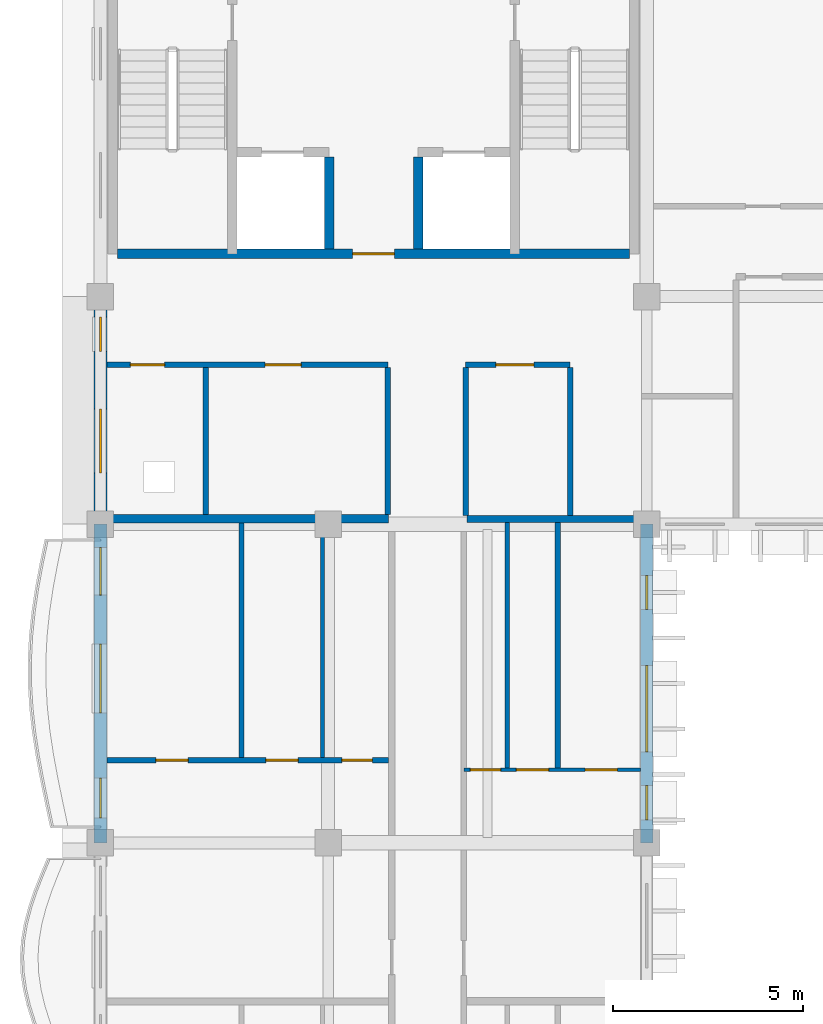
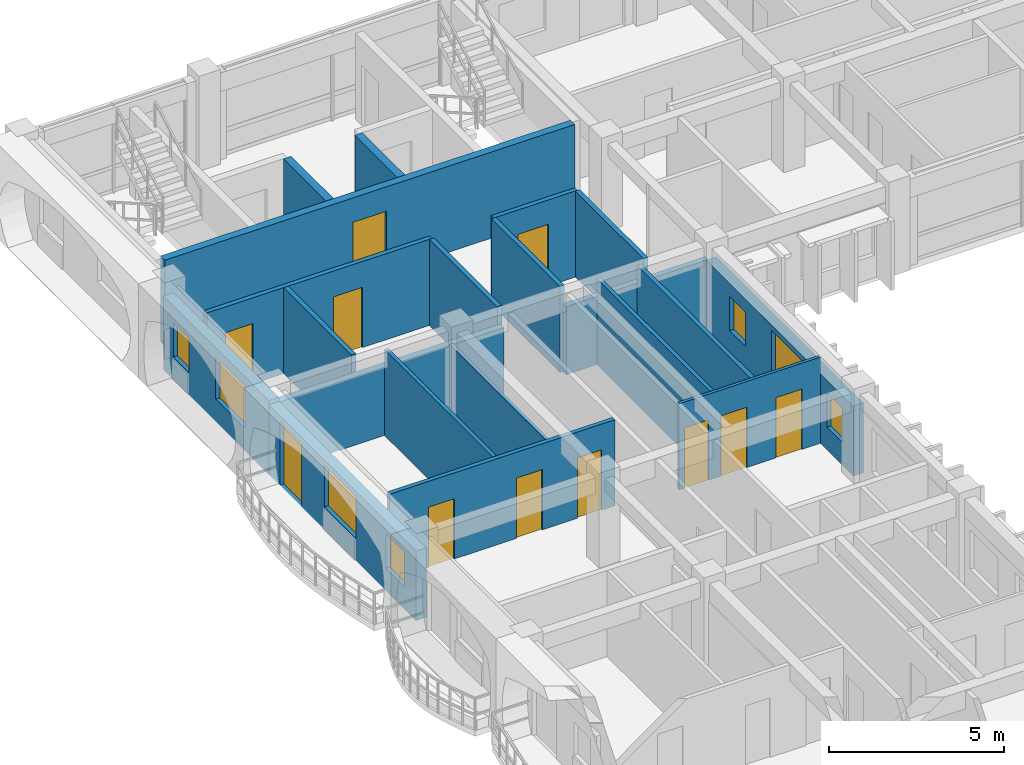
# One storey, part 31 of 76: 20 walls, 11 doors, 7 windows, 18 openings.
"""IFC4 building model written with IfcOpenShell, lengths in metres."""

import ifcopenshell
import ifcopenshell.guid

model = None  # the IFC model being written
_history = None  # IfcOwnerHistory: only IFC2X3 demands one
_inside = {}  # id of a spatial element -> (the spatial element, [elements in it])
_under = {}  # id of a project, library or spatial element -> (it, [spatial elements below it])
_declared = {}  # id of a project -> (the project, [libraries it declares])
_typed = {}  # id of a type object -> (the type object, [elements of that type])
_made_of = {}  # id of a material, layer set ... -> (it, [elements and type objects made of it])


def new_model(schema):
    """Start an empty IFC model of exactly this schema.

    Asked for "IFC4X3", IfcOpenShell would pick the latest addendum, in which some entities
    have other attributes; the version numbers below select the first issue.
    IFC2X3 requires an IfcOwnerHistory on every rooted entity: one is made here for all.
    """
    global model, _history
    if schema == "IFC4X3":
        model = ifcopenshell.file(schema_version=(4, 3, 0, 0))
    else:
        model = ifcopenshell.file(schema=schema)
    _inside.clear()
    _under.clear()
    _declared.clear()
    _typed.clear()
    _made_of.clear()
    _history = None
    if model.schema == "IFC2X3":
        org = make("IfcOrganization", Name="unknown")
        user = make(
            "IfcPersonAndOrganization",
            ThePerson=make("IfcPerson", FamilyName="unknown"),
            TheOrganization=org,
        )
        app = make(
            "IfcApplication",
            ApplicationDeveloper=org,
            Version="unknown",
            ApplicationFullName="unknown",
            ApplicationIdentifier="unknown",
        )
        _history = make(
            "IfcOwnerHistory",
            OwningUser=user,
            OwningApplication=app,
            ChangeAction="ADDED",
            CreationDate=0,
        )
    return model


def make(cls, **values):
    """One entity of the class cls with the attributes given. An attribute that is None is left unset."""
    return model.create_entity(
        cls, **{name: value for name, value in values.items() if value is not None}
    )


def rooted(cls, **values):
    """An entity with a GlobalId (a new one), such as an element, a storey or a relation."""
    return make(cls, GlobalId=ifcopenshell.guid.new(), OwnerHistory=_history, **values)


def si_unit(unit_type, name, prefix=None):
    """IfcSIUnit, for example si_unit("LENGTHUNIT", "METRE", prefix="MILLI")."""
    return make("IfcSIUnit", UnitType=unit_type, Prefix=prefix, Name=name)


def assignment(units):
    """IfcUnitAssignment: the units of a project."""
    return None if units is None else make("IfcUnitAssignment", Units=units)


def point(xyz):
    """IfcCartesianPoint."""
    return None if xyz is None else make("IfcCartesianPoint", Coordinates=xyz)


def direction(xyz):
    """IfcDirection."""
    return None if xyz is None else make("IfcDirection", DirectionRatios=xyz)


def frame(location, z_axis=None, x_axis=None):
    """IfcAxis2Placement3D, a coordinate frame: its origin and axes. An axis left out is left unset."""
    return make(
        "IfcAxis2Placement3D",
        Location=point(location),
        Axis=direction(z_axis),
        RefDirection=direction(x_axis),
    )


def frame_2d(location, x_axis=None):
    """IfcAxis2Placement2D, a coordinate frame in the plane: its origin and x axis."""
    return make(
        "IfcAxis2Placement2D", Location=point(location), RefDirection=direction(x_axis)
    )


def origin():
    """The frame at (0, 0, 0) with its axes left unset."""
    return frame((0.0, 0.0, 0.0))


def place(relative_to, where):
    """IfcLocalPlacement: puts the frame where relative to a parent placement (None: the world)."""
    return make(
        "IfcLocalPlacement", PlacementRelTo=relative_to, RelativePlacement=where
    )


def context(
    kind, dimensions, precision=None, world=None, true_north=None, identifier=None
):
    """IfcGeometricRepresentationContext, for example the 3D "Model" context."""
    return make(
        "IfcGeometricRepresentationContext",
        ContextIdentifier=identifier,
        ContextType=kind,
        CoordinateSpaceDimension=dimensions,
        Precision=precision,
        WorldCoordinateSystem=world,
        TrueNorth=true_north,
    )


def subcontext(parent, identifier, kind, view, scale=None):
    """IfcGeometricRepresentationSubContext, for example "Body" below "Model"."""
    return make(
        "IfcGeometricRepresentationSubContext",
        ContextIdentifier=identifier,
        ContextType=kind,
        ParentContext=parent,
        TargetScale=scale,
        TargetView=view,
    )


def project(units=None, contexts=None):
    """IfcProject with its units and contexts."""
    return rooted(
        "IfcProject",
        Name="project",
        RepresentationContexts=contexts,
        UnitsInContext=assignment(units),
    )


def spatial(cls, under=None, at=None, **own):
    """A site, building, storey or space (cls), placed at a placement, below another one or the project."""
    s = rooted(cls, ObjectPlacement=at, **own)
    if under is not None:
        _under.setdefault(under.id(), (under, []))[1].append(s)
    return s


def profile(cls, at=None, kind="AREA", **sizes):
    """A parametric profile (cls). Its sizes go by their IFC names, for example OverallWidth=200.0."""
    return make(cls, ProfileType=kind, Position=at, **sizes)


def rectangle(**sizes):
    """IfcRectangleProfileDef."""
    return profile("IfcRectangleProfileDef", **sizes)


def extrude(swept, where, along, depth):
    """IfcExtrudedAreaSolid: the profile swept, set in the frame where, extruded along a direction by depth."""
    return make(
        "IfcExtrudedAreaSolid",
        SweptArea=swept,
        Position=where,
        ExtrudedDirection=direction(along),
        Depth=depth,
    )


def shape(context_of_items, identifier, shape_type, items):
    """IfcShapeRepresentation: the items that make up one representation, for example the "Body"."""
    return make(
        "IfcShapeRepresentation",
        ContextOfItems=context_of_items,
        RepresentationIdentifier=identifier,
        RepresentationType=shape_type,
        Items=items,
    )


def material(Name=None, Category=None):
    """IfcMaterial."""
    return make("IfcMaterial", Name=Name, Category=Category)


def layer(
    of_material, thickness, ventilated=None, Name=None, Category=None, Priority=None
):
    """IfcMaterialLayer: one layer of a wall or slab, of a material (None: an air gap)."""
    return make(
        "IfcMaterialLayer",
        Material=of_material,
        LayerThickness=thickness,
        IsVentilated=ventilated,
        Name=Name,
        Category=Category,
        Priority=Priority,
    )


def layer_set(layers, Name=None):
    """IfcMaterialLayerSet."""
    return make("IfcMaterialLayerSet", MaterialLayers=layers, LayerSetName=Name)


def made_of(thing, what):
    """Note that an element or type object is made of a material, layer set ...; save() writes the relation."""
    if what is not None:
        _made_of.setdefault(what.id(), (what, []))[1].append(thing)
    return thing


def type_object(cls, material=None, **own):
    """A type object (cls), such as IfcWallType, which elements share."""
    return made_of(rooted(cls, **own), material)


def element(
    cls,
    number,
    at=None,
    inside=None,
    cuts=None,
    type_object=None,
    material=None,
    context=None,
    identifier="Body",
    shape_type=None,
    held_by="IfcProductDefinitionShape",
    body=None,
    shapes=None,
    **own,
):
    """One element of the class cls, such as IfcWall. Its Tag is "e" and its number.

    at: its placement. inside: the storey or other place that contains it. cuts: it is an
    opening in that element (IfcRelVoidsElement). A single representation is given by context,
    identifier, shape_type and body (its items); several are given by shapes. held_by: the class
    of the entity that holds the representations. save() writes the other relations.
    """
    e = rooted(cls, Tag="e%d" % number, ObjectPlacement=at, **own)
    if body is not None:
        shapes = [shape(context, identifier, shape_type, body)]
    if shapes is not None:
        e.Representation = make(held_by, Representations=shapes)
    if inside is not None:
        _inside.setdefault(inside.id(), (inside, []))[1].append(e)
    if cuts is not None:
        rooted(
            "IfcRelVoidsElement", RelatingBuildingElement=cuts, RelatedOpeningElement=e
        )
    if type_object is not None:
        _typed.setdefault(type_object.id(), (type_object, []))[1].append(e)
    return made_of(e, material)


def fill(opening, filler):
    """IfcRelFillsElement: the door or window that sits in an opening."""
    return rooted(
        "IfcRelFillsElement",
        RelatingOpeningElement=opening,
        RelatedBuildingElement=filler,
    )


def aggregate(whole, parts):
    """IfcRelAggregates: a whole, such as a stair, and the parts it consists of."""
    return rooted("IfcRelAggregates", RelatingObject=whole, RelatedObjects=parts)


def save(model, path):
    """Write the relations noted so far, then the file.

    IfcRelAggregates (storeys below a building ...), IfcRelContainedInSpatialStructure (elements
    in a storey), IfcRelDefinesByType, IfcRelAssociatesMaterial and IfcRelDeclares: one each for
    every whole, place, type object, material and project.
    """
    for whole, parts in _under.values():
        aggregate(whole, parts)
    for where, things in _inside.values():
        rooted(
            "IfcRelContainedInSpatialStructure",
            RelatedElements=things,
            RelatingStructure=where,
        )
    for kind, things in _typed.values():
        rooted("IfcRelDefinesByType", RelatedObjects=things, RelatingType=kind)
    for what, things in _made_of.values():
        rooted("IfcRelAssociatesMaterial", RelatedObjects=things, RelatingMaterial=what)
    for by, libraries in _declared.values():
        rooted("IfcRelDeclares", RelatingContext=by, RelatedDefinitions=libraries)
    model.write(path)


model = new_model("IFC4")

# Units and contexts
model_context = context("Model", 3, precision=1e-05, world=origin(), true_north=direction((0.0, 1.0)))
body_context = subcontext(model_context, "Body", "Model", "MODEL_VIEW")
ifc_project = project(units=[si_unit("LENGTHUNIT", "METRE"), si_unit("AREAUNIT", "SQUARE_METRE"), si_unit("VOLUMEUNIT", "CUBIC_METRE"), si_unit("PLANEANGLEUNIT", "RADIAN"), si_unit("MASSUNIT", "GRAM", prefix="KILO"), si_unit("THERMODYNAMICTEMPERATUREUNIT", "KELVIN")], contexts=[model_context])

# Site, building, storey
site_placement = place(None, origin())
site = spatial("IfcSite", under=ifc_project, at=site_placement, CompositionType="ELEMENT")
building_placement = place(site_placement, origin())
building = spatial("IfcBuilding", under=site, at=building_placement, Name="Thalorik Housing Commons", CompositionType="ELEMENT")
storey_placement = place(building_placement, frame((0.0, 0.0, 18.0)))
storey = spatial("IfcBuildingStorey", under=building, at=storey_placement, Name="L05", CompositionType="ELEMENT", Elevation=18.0)

# Walls
ifc_material_1 = material(Name="Concrete C40/50", Category="concrete")
ifc_layer_1 = layer(ifc_material_1, 0.25, Name="Concrete C40/50", Category="concrete")
ifc_layer_set_1 = layer_set([ifc_layer_1], Name="Concrete C40/50")
wall_type_1 = type_object("IfcWallType", Name="ARC-WAL-CORE-250", PredefinedType="SHEAR", material=ifc_layer_set_1)
for number, where, z_axis, x_axis, name in (
    (1, (14.425048828125, 118.875, 0.0), (0.0, 0.0, 1.0), (0.0, -1.0, 0.0), "L05 Lift 1 Cheek Wall"),
    (2, (16.77490234375, 118.875, 0.0), (0.0, 0.0, 1.0), (0.0, -1.0, 0.0), "L05 Lift 2 Cheek Wall"),
):
    element("IfcWall", number, at=place(storey_placement, frame(where, z_axis=z_axis, x_axis=x_axis)), inside=storey, type_object=wall_type_1, Name=name, PredefinedType="SHEAR", context=body_context, shape_type="SweptSolid", body=[
        extrude(rectangle(XDim=2.425048828125, YDim=0.25, at=frame_2d((1.21240234375, 0.0))), origin(), (0.0, 0.0, 1.0), 3.0),
    ])

# Wall, opening, door
wall_1_placement = place(storey_placement, frame((8.85009765625, 116.324951171875, 0.0), z_axis=(0.0, 0.0, 1.0), x_axis=(1.0, 0.0, 0.0)))
wall_1 = element("IfcWall", 3, at=wall_1_placement, inside=storey, type_object=wall_type_1, Name="L05 Core A Spine Shear Wall", PredefinedType="SHEAR", context=body_context, shape_type="SweptSolid", body=[
    extrude(rectangle(XDim=13.5, YDim=0.25, at=frame_2d((6.75, 0.0))), origin(), (0.0, 0.0, 1.0), 3.0),
])
opening_1_placement = place(wall_1_placement, frame((6.199951171875, 0.0, 0.0)))
opening_1 = element("IfcOpeningElement", 4, at=opening_1_placement, cuts=wall_1, Name="Opening ID-0053", PredefinedType="OPENING", context=body_context, shape_type="SweptSolid", body=[
    extrude(rectangle(XDim=1.10009765625, YDim=2.14990234375, at=frame_2d((0.550048828125, 1.074951171875))), frame((0.0, 0.135009765625, 0.0), z_axis=(0.0, -1.0, 0.0), x_axis=(1.0, 0.0, 0.0)), (0.0, 0.0, 1.0), 0.27001953125),
])
ifc_material_2 = material(Name="Steel S355", Category="steel")
door_type_1 = type_object("IfcDoorType", Name="ARC-DR-FD60-1100", OperationType="NOTDEFINED", PredefinedType="DOOR", material=ifc_material_2)
door_1_placement = place(opening_1_placement, origin())
door_1 = element("IfcDoor", 5, at=door_1_placement, inside=storey, type_object=door_type_1, Name="L05 Core A Lobby Fire Door", OperationType="SINGLE_SWING_RIGHT", OverallHeight=2.14990234375, OverallWidth=1.10009765625, PredefinedType="DOOR", context=body_context, shape_type="SweptSolid", body=[
    extrude(rectangle(XDim=1.10009765625, YDim=2.14990234375, at=frame_2d((0.550048828125, 1.074951171875))), frame((0.0, 0.02490234375, 0.0), z_axis=(0.0, -1.0, 0.0), x_axis=(1.0, 0.0, 0.0)), (0.0, 0.0, 1.0), 0.050048828125),
])
fill(opening_1, door_1)

# Wall, openings, windows
ifc_material_3 = material(Name="White precast concrete C40/50", Category="concrete")
ifc_layer_2 = layer(ifc_material_3, 0.3349609375, Name="White precast concrete C40/50", Category="concrete")
ifc_layer_set_2 = layer_set([ifc_layer_2], Name="White precast concrete C40/50")
wall_type_2 = type_object("IfcWallType", Name="ARC-WAL-EXT-335", PredefinedType="STANDARD", material=ifc_layer_set_2)
wall_2_placement = place(storey_placement, frame((8.39990234375, 115.199951171875, 0.0), z_axis=(0.0, 0.0, 1.0), x_axis=(0.0, -1.0, 0.0)))
wall_2 = element("IfcWall", 6, at=wall_2_placement, inside=storey, type_object=wall_type_2, Name="L05 Exterior Wall WAL-EXT-L05-A-0156", PredefinedType="STANDARD", context=body_context, shape_type="SweptSolid", body=[
    extrude(rectangle(XDim=6.0, YDim=0.3349609375, at=frame_2d((3.0, 0.0))), origin(), (0.0, 0.0, 1.0), 2.574951171875),
])
opening_2_placement = place(wall_2_placement, frame((0.544921875, 0.0, 0.780029296875)))
opening_2 = element("IfcOpeningElement", 7, at=opening_2_placement, cuts=wall_2, Name="Opening W-01", PredefinedType="OPENING", context=body_context, shape_type="SweptSolid", body=[
    extrude(rectangle(XDim=0.89990234375, YDim=1.199951171875, at=frame_2d((0.449951171875, 0.60009765625))), frame((0.0, 0.177490234375, 0.0), z_axis=(0.0, -1.0, 0.0), x_axis=(1.0, 0.0, 0.0)), (0.0, 0.0, 1.0), 0.35498046875),
])
opening_3_placement = place(wall_2_placement, frame((2.965087890625, 0.0, 0.780029296875)))
opening_3 = element("IfcOpeningElement", 8, at=opening_3_placement, cuts=wall_2, Name="Opening W-55", PredefinedType="OPENING", context=body_context, shape_type="SweptSolid", body=[
    extrude(rectangle(XDim=1.679931640625, YDim=1.4599609375, at=frame_2d((0.83984375, 0.72998046875))), frame((0.0, 0.177490234375, 0.0), z_axis=(0.0, -1.0, 0.0), x_axis=(1.0, 0.0, 0.0)), (0.0, 0.0, 1.0), 0.35498046875),
])
ifc_material_4 = material(Name="Anodised aluminium and solar-control low-E glass", Category="aluminium")
window_type_1 = type_object("IfcWindowType", Name="ARC-WIN-01", PartitioningType="SINGLE_PANEL", PredefinedType="WINDOW", material=ifc_material_4)
window_1_placement = place(opening_2_placement, origin())
window_1 = element("IfcWindow", 9, at=window_1_placement, inside=storey, type_object=window_type_1, Name="L05 Facade Window 277", OverallHeight=1.199951171875, OverallWidth=0.89990234375, PartitioningType="SINGLE_PANEL", PredefinedType="WINDOW", context=body_context, shape_type="SweptSolid", body=[
    extrude(rectangle(XDim=0.89990234375, YDim=1.199951171875, at=frame_2d((0.449951171875, 0.60009765625))), frame((0.0, 0.030029296875, 0.0), z_axis=(0.0, -1.0, 0.0), x_axis=(1.0, 0.0, 0.0)), (0.0, 0.0, 1.0), 0.06005859375),
])
fill(opening_2, window_1)
window_type_2 = type_object("IfcWindowType", Name="ARC-WIN-55", PartitioningType="DOUBLE_PANEL_VERTICAL", PredefinedType="WINDOW", material=ifc_material_4)
window_2_placement = place(opening_3_placement, origin())
window_2 = element("IfcWindow", 10, at=window_2_placement, inside=storey, type_object=window_type_2, Name="L05 Facade Window 278", OverallHeight=1.4599609375, OverallWidth=1.679931640625, PartitioningType="DOUBLE_PANEL_VERTICAL", PredefinedType="WINDOW", context=body_context, shape_type="SweptSolid", body=[
    extrude(rectangle(XDim=1.679931640625, YDim=1.4599609375, at=frame_2d((0.83984375, 0.72998046875))), frame((0.0, 0.030029296875, 0.0), z_axis=(0.0, -1.0, 0.0), x_axis=(1.0, 0.0, 0.0)), (0.0, 0.0, 1.0), 0.06005859375),
])
fill(opening_3, window_2)

# Wall, openings, door, windows
wall_3_placement = place(storey_placement, frame((8.39990234375, 109.199951171875, 0.0), z_axis=(0.0, 0.0, 1.0), x_axis=(0.0, -1.0, 0.0)))
wall_3 = element("IfcWall", 11, at=wall_3_placement, inside=storey, type_object=wall_type_2, Name="L05 Exterior Wall WAL-EXT-L05-A-0157", PredefinedType="STANDARD", context=body_context, shape_type="SweptSolid", body=[
    extrude(rectangle(XDim=8.39990234375, YDim=0.3349609375, at=frame_2d((4.199951171875, 0.0))), origin(), (0.0, 0.0, 1.0), 2.425048828125),
])
opening_4_placement = place(wall_3_placement, frame((0.6201171875, 0.0, 0.0)))
opening_4 = element("IfcOpeningElement", 12, at=opening_4_placement, cuts=wall_3, Name="Opening ED-0045", PredefinedType="OPENING", context=body_context, shape_type="SweptSolid", body=[
    extrude(rectangle(XDim=1.25, YDim=2.199951171875, at=frame_2d((0.625, 1.10009765625))), frame((0.0, 0.177490234375, 0.0), z_axis=(0.0, -1.0, 0.0), x_axis=(1.0, 0.0, 0.0)), (0.0, 0.0, 1.0), 0.35498046875),
])
opening_5_placement = place(wall_3_placement, frame((3.159912109375, 0.0, 0.780029296875)))
opening_5 = element("IfcOpeningElement", 13, at=opening_5_placement, cuts=wall_3, Name="Opening W-58", PredefinedType="OPENING", context=body_context, shape_type="SweptSolid", body=[
    extrude(rectangle(XDim=1.820068359375, YDim=1.4599609375, at=frame_2d((0.91015625, 0.72998046875))), frame((0.0, 0.177490234375, 0.0), z_axis=(0.0, -1.0, 0.0), x_axis=(1.0, 0.0, 0.0)), (0.0, 0.0, 1.0), 0.35498046875),
])
opening_6_placement = place(wall_3_placement, frame((6.68994140625, 0.0, 0.780029296875)))
opening_6 = element("IfcOpeningElement", 14, at=opening_6_placement, cuts=wall_3, Name="Opening W-44", PredefinedType="OPENING", context=body_context, shape_type="SweptSolid", body=[
    extrude(rectangle(XDim=1.050048828125, YDim=1.199951171875, at=frame_2d((0.52490234375, 0.60009765625))), frame((0.0, 0.177490234375, 0.0), z_axis=(0.0, -1.0, 0.0), x_axis=(1.0, 0.0, 0.0)), (0.0, 0.0, 1.0), 0.35498046875),
])
ifc_material_5 = material(Name="Anodised aluminium and laminated safety glass", Category="aluminium")
door_type_2 = type_object("IfcDoorType", Name="ARC-DR-BAL-1250", OperationType="NOTDEFINED", PredefinedType="DOOR", material=ifc_material_5)
door_2_placement = place(opening_4_placement, frame((1.25, 0.0, 0.0), z_axis=(0.0, 0.0, 1.0), x_axis=(-1.0, 0.0, 0.0)))
door_2 = element("IfcDoor", 15, at=door_2_placement, inside=storey, type_object=door_type_2, Name="L05 Block A Balcony Glazed Door", OperationType="SINGLE_SWING_RIGHT", OverallHeight=2.199951171875, OverallWidth=1.25, PredefinedType="DOOR", context=body_context, shape_type="SweptSolid", body=[
    extrude(rectangle(XDim=1.25, YDim=2.199951171875, at=frame_2d((0.625, 1.10009765625))), frame((0.0, 0.02490234375, 0.0), z_axis=(0.0, -1.0, 0.0), x_axis=(1.0, 0.0, 0.0)), (0.0, 0.0, 1.0), 0.050048828125),
])
fill(opening_4, door_2)
window_type_3 = type_object("IfcWindowType", Name="ARC-WIN-44", PartitioningType="SINGLE_PANEL", PredefinedType="WINDOW", material=ifc_material_4)
window_3_placement = place(opening_6_placement, origin())
window_3 = element("IfcWindow", 16, at=window_3_placement, inside=storey, type_object=window_type_3, Name="L05 Facade Window 280", OverallHeight=1.199951171875, OverallWidth=1.050048828125, PartitioningType="SINGLE_PANEL", PredefinedType="WINDOW", context=body_context, shape_type="SweptSolid", body=[
    extrude(rectangle(XDim=1.050048828125, YDim=1.199951171875, at=frame_2d((0.52490234375, 0.60009765625))), frame((0.0, 0.030029296875, 0.0), z_axis=(0.0, -1.0, 0.0), x_axis=(1.0, 0.0, 0.0)), (0.0, 0.0, 1.0), 0.06005859375),
])
fill(opening_6, window_3)
window_type_4 = type_object("IfcWindowType", Name="ARC-WIN-58", PartitioningType="DOUBLE_PANEL_VERTICAL", PredefinedType="WINDOW", material=ifc_material_4)
window_4_placement = place(opening_5_placement, origin())
window_4 = element("IfcWindow", 17, at=window_4_placement, inside=storey, type_object=window_type_4, Name="L05 Facade Window 279", OverallHeight=1.4599609375, OverallWidth=1.820068359375, PartitioningType="DOUBLE_PANEL_VERTICAL", PredefinedType="WINDOW", context=body_context, shape_type="SweptSolid", body=[
    extrude(rectangle(XDim=1.820068359375, YDim=1.4599609375, at=frame_2d((0.91015625, 0.72998046875))), frame((0.0, 0.030029296875, 0.0), z_axis=(0.0, -1.0, 0.0), x_axis=(1.0, 0.0, 0.0)), (0.0, 0.0, 1.0), 0.06005859375),
])
fill(opening_5, window_4)

# Wall, openings, windows
wall_4_placement = place(storey_placement, frame((22.800048828125, 100.800048828125, 0.0), z_axis=(0.0, 0.0, 1.0), x_axis=(0.0, 1.0, 0.0)))
wall_4 = element("IfcWall", 18, at=wall_4_placement, inside=storey, type_object=wall_type_2, Name="L05 Exterior Wall WAL-EXT-L05-A-0168", PredefinedType="STANDARD", context=body_context, shape_type="SweptSolid", body=[
    extrude(rectangle(XDim=8.39990234375, YDim=0.3349609375, at=frame_2d((4.199951171875, 0.0))), origin(), (0.0, 0.0, 1.0), 2.425048828125),
])
opening_7_placement = place(wall_4_placement, frame((0.60791015625, 0.0, 0.780029296875)))
opening_7 = element("IfcOpeningElement", 19, at=opening_7_placement, cuts=wall_4, Name="Opening W-01", PredefinedType="OPENING", context=body_context, shape_type="SweptSolid", body=[
    extrude(rectangle(XDim=0.89990234375, YDim=1.199951171875, at=frame_2d((0.449951171875, 0.60009765625))), frame((0.0, 0.177490234375, 0.0), z_axis=(0.0, -1.0, 0.0), x_axis=(1.0, 0.0, 0.0)), (0.0, 0.0, 1.0), 0.35498046875),
])
opening_8_placement = place(wall_4_placement, frame((2.3916015625, 0.0, 0.780029296875)))
opening_8 = element("IfcOpeningElement", 20, at=opening_8_placement, cuts=wall_4, Name="Opening W-67", PredefinedType="OPENING", context=body_context, shape_type="SweptSolid", body=[
    extrude(rectangle(XDim=2.280029296875, YDim=1.4599609375, at=frame_2d((1.14013671875, 0.72998046875))), frame((0.0, 0.177490234375, 0.0), z_axis=(0.0, -1.0, 0.0), x_axis=(1.0, 0.0, 0.0)), (0.0, 0.0, 1.0), 0.35498046875),
])
opening_9_placement = place(wall_4_placement, frame((6.15380859375, 0.0, 0.780029296875)))
opening_9 = element("IfcOpeningElement", 21, at=opening_9_placement, cuts=wall_4, Name="Opening W-01", PredefinedType="OPENING", context=body_context, shape_type="SweptSolid", body=[
    extrude(rectangle(XDim=0.89990234375, YDim=1.199951171875, at=frame_2d((0.449951171875, 0.60009765625))), frame((0.0, 0.177490234375, 0.0), z_axis=(0.0, -1.0, 0.0), x_axis=(1.0, 0.0, 0.0)), (0.0, 0.0, 1.0), 0.35498046875),
])
window_5_placement = place(opening_7_placement, origin())
window_5 = element("IfcWindow", 22, at=window_5_placement, inside=storey, type_object=window_type_1, Name="L05 Facade Window 298", OverallHeight=1.199951171875, OverallWidth=0.89990234375, PartitioningType="SINGLE_PANEL", PredefinedType="WINDOW", context=body_context, shape_type="SweptSolid", body=[
    extrude(rectangle(XDim=0.89990234375, YDim=1.199951171875, at=frame_2d((0.449951171875, 0.60009765625))), frame((0.0, 0.030029296875, 0.0), z_axis=(0.0, -1.0, 0.0), x_axis=(1.0, 0.0, 0.0)), (0.0, 0.0, 1.0), 0.06005859375),
])
fill(opening_7, window_5)
window_6_placement = place(opening_9_placement, origin())
window_6 = element("IfcWindow", 23, at=window_6_placement, inside=storey, type_object=window_type_1, Name="L05 Facade Window 300", OverallHeight=1.199951171875, OverallWidth=0.89990234375, PartitioningType="SINGLE_PANEL", PredefinedType="WINDOW", context=body_context, shape_type="SweptSolid", body=[
    extrude(rectangle(XDim=0.89990234375, YDim=1.199951171875, at=frame_2d((0.449951171875, 0.60009765625))), frame((0.0, 0.030029296875, 0.0), z_axis=(0.0, -1.0, 0.0), x_axis=(1.0, 0.0, 0.0)), (0.0, 0.0, 1.0), 0.06005859375),
])
fill(opening_9, window_6)
window_type_5 = type_object("IfcWindowType", Name="ARC-WIN-67", PartitioningType="DOUBLE_PANEL_VERTICAL", PredefinedType="WINDOW", material=ifc_material_4)
window_7_placement = place(opening_8_placement, origin())
window_7 = element("IfcWindow", 24, at=window_7_placement, inside=storey, type_object=window_type_5, Name="L05 Facade Window 299", OverallHeight=1.4599609375, OverallWidth=2.280029296875, PartitioningType="DOUBLE_PANEL_VERTICAL", PredefinedType="WINDOW", context=body_context, shape_type="SweptSolid", body=[
    extrude(rectangle(XDim=2.280029296875, YDim=1.4599609375, at=frame_2d((1.14013671875, 0.72998046875))), frame((0.0, 0.030029296875, 0.0), z_axis=(0.0, -1.0, 0.0), x_axis=(1.0, 0.0, 0.0)), (0.0, 0.0, 1.0), 0.06005859375),
])
fill(opening_8, window_7)

# Wall, openings, doors
ifc_material_6 = material(Name="Gypsum light stud partition", Category="masonry")
ifc_layer_3 = layer(ifc_material_6, 0.10009765625, Name="Gypsum light stud partition", Category="masonry")
ifc_layer_set_3 = layer_set([ifc_layer_3], Name="Gypsum light stud partition")
wall_type_3 = type_object("IfcWallType", Name="ARC-WAL-PART-100", PredefinedType="PARTITIONING", material=ifc_layer_set_3)
wall_5_placement = place(storey_placement, frame((17.97998046875, 102.7255859375, 0.0), z_axis=(0.0, 0.0, 1.0), x_axis=(1.0, 0.0, 0.0)))
wall_5 = element("IfcWall", 25, at=wall_5_placement, inside=storey, type_object=wall_type_3, Name="L05 Unit 3B Spine Partition", PredefinedType="PARTITIONING", context=body_context, shape_type="SweptSolid", body=[
    extrude(rectangle(XDim=4.650634765625, YDim=0.10009765625, at=frame_2d((2.3251953125, 0.0))), origin(), (0.0, 0.0, 1.0), 3.0),
])
opening_10_placement = place(wall_5_placement, frame((0.171142578125, 0.0, 0.0)))
opening_10 = element("IfcOpeningElement", 26, at=opening_10_placement, cuts=wall_5, Name="Opening ID-0636", PredefinedType="OPENING", context=body_context, shape_type="SweptSolid", body=[
    extrude(rectangle(XDim=0.800048828125, YDim=2.10009765625, at=frame_2d((0.39990234375, 1.050048828125))), frame((0.0, 0.06005859375, 0.0), z_axis=(0.0, -1.0, 0.0), x_axis=(1.0, 0.0, 0.0)), (0.0, 0.0, 1.0), 0.1201171875),
])
opening_11_placement = place(wall_5_placement, frame((1.3837890625, 0.0, 0.0)))
opening_11 = element("IfcOpeningElement", 27, at=opening_11_placement, cuts=wall_5, Name="Opening ID-0637", PredefinedType="OPENING", context=body_context, shape_type="SweptSolid", body=[
    extrude(rectangle(XDim=0.85009765625, YDim=2.10009765625, at=frame_2d((0.425048828125, 1.050048828125))), frame((0.0, 0.06005859375, 0.0), z_axis=(0.0, -1.0, 0.0), x_axis=(1.0, 0.0, 0.0)), (0.0, 0.0, 1.0), 0.1201171875),
])
opening_12_placement = place(wall_5_placement, frame((3.192626953125, 0.0, 0.0)))
opening_12 = element("IfcOpeningElement", 28, at=opening_12_placement, cuts=wall_5, Name="Opening ID-0638", PredefinedType="OPENING", context=body_context, shape_type="SweptSolid", body=[
    extrude(rectangle(XDim=0.85009765625, YDim=2.10009765625, at=frame_2d((0.425048828125, 1.050048828125))), frame((0.0, 0.06005859375, 0.0), z_axis=(0.0, -1.0, 0.0), x_axis=(1.0, 0.0, 0.0)), (0.0, 0.0, 1.0), 0.1201171875),
])
ifc_material_7 = material(Name="Moisture-resistant timber", Category="wood")
door_type_3 = type_object("IfcDoorType", Name="ARC-DR-INT-800", OperationType="NOTDEFINED", PredefinedType="DOOR", material=ifc_material_7)
door_3_placement = place(opening_10_placement, origin())
door_3 = element("IfcDoor", 29, at=door_3_placement, inside=storey, type_object=door_type_3, Name="L05 Flat Bathroom Door", OperationType="SINGLE_SWING_LEFT", OverallHeight=2.10009765625, OverallWidth=0.800048828125, PredefinedType="DOOR", context=body_context, shape_type="SweptSolid", body=[
    extrude(rectangle(XDim=0.800048828125, YDim=2.10009765625, at=frame_2d((0.39990234375, 1.050048828125))), frame((0.0, 0.02490234375, 0.0), z_axis=(0.0, -1.0, 0.0), x_axis=(1.0, 0.0, 0.0)), (0.0, 0.0, 1.0), 0.050048828125),
])
fill(opening_10, door_3)
ifc_material_8 = material(Name="Engineered oak timber", Category="wood")
door_type_4 = type_object("IfcDoorType", Name="ARC-DR-INT-850", OperationType="NOTDEFINED", PredefinedType="DOOR", material=ifc_material_8)
door_4_placement = place(opening_11_placement, origin())
door_4 = element("IfcDoor", 30, at=door_4_placement, inside=storey, type_object=door_type_4, Name="L05 Eat-In Kitchen Door", OperationType="SINGLE_SWING_RIGHT", OverallHeight=2.10009765625, OverallWidth=0.85009765625, PredefinedType="DOOR", context=body_context, shape_type="SweptSolid", body=[
    extrude(rectangle(XDim=0.85009765625, YDim=2.10009765625, at=frame_2d((0.425048828125, 1.050048828125))), frame((0.0, 0.02490234375, 0.0), z_axis=(0.0, -1.0, 0.0), x_axis=(1.0, 0.0, 0.0)), (0.0, 0.0, 1.0), 0.050048828125),
])
fill(opening_11, door_4)
door_5_placement = place(opening_12_placement, origin())
door_5 = element("IfcDoor", 31, at=door_5_placement, inside=storey, type_object=door_type_4, Name="L05 Master Bedroom Door", OperationType="SINGLE_SWING_LEFT", OverallHeight=2.10009765625, OverallWidth=0.85009765625, PredefinedType="DOOR", context=body_context, shape_type="SweptSolid", body=[
    extrude(rectangle(XDim=0.85009765625, YDim=2.10009765625, at=frame_2d((0.425048828125, 1.050048828125))), frame((0.0, 0.02490234375, 0.0), z_axis=(0.0, -1.0, 0.0), x_axis=(1.0, 0.0, 0.0)), (0.0, 0.0, 1.0), 0.050048828125),
])
fill(opening_12, door_5)

# Walls
ifc_material_9 = material(Name="Gypsum moisture-resistant partition", Category="masonry")
ifc_layer_4 = layer(ifc_material_9, 0.114990234375, Name="Gypsum moisture-resistant partition", Category="masonry")
ifc_layer_set_4 = layer_set([ifc_layer_4], Name="Gypsum moisture-resistant partition")
wall_type_4 = type_object("IfcWallType", Name="ARC-WAL-PART-115", PredefinedType="PARTITIONING", material=ifc_layer_set_4)
wall_6_placement = place(storey_placement, frame((14.251220703125, 103.052001953125, 0.0), z_axis=(0.0, 0.0, 1.0), x_axis=(0.0, 1.0, 0.0)))
element("IfcWall", 32, at=wall_6_placement, inside=storey, type_object=wall_type_4, Name="L05 Unit 3 Wet Wall", PredefinedType="PARTITIONING", context=body_context, shape_type="SweptSolid", body=[
    extrude(rectangle(XDim=6.176025390625, YDim=0.114990234375, at=frame_2d((3.087890625, 0.0))), origin(), (0.0, 0.0, 1.0), 2.425048828125),
])
ifc_material_10 = material(Name="Gypsum acoustic stud partition", Category="masonry")
ifc_layer_5 = layer(ifc_material_10, 0.125, Name="Gypsum acoustic stud partition", Category="masonry")
ifc_layer_set_5 = layer_set([ifc_layer_5], Name="Gypsum acoustic stud partition")
wall_type_5 = type_object("IfcWallType", Name="ARC-WAL-PART-125", PredefinedType="PARTITIONING", material=ifc_layer_set_5)
wall_7_placement = place(storey_placement, frame((12.11767578125, 103.052001953125, 0.0), z_axis=(0.0, 0.0, 1.0), x_axis=(0.0, 1.0, 0.0)))
element("IfcWall", 33, at=wall_7_placement, inside=storey, type_object=wall_type_5, Name="L05 Unit 3 Bedroom Partition", PredefinedType="PARTITIONING", context=body_context, shape_type="SweptSolid", body=[
    extrude(rectangle(XDim=6.176025390625, YDim=0.125, at=frame_2d((3.087890625, 0.0))), origin(), (0.0, 0.0, 1.0), 3.0),
])
wall_8_placement = place(storey_placement, frame((19.122314453125, 102.777587890625, 0.0), z_axis=(0.0, 0.0, 1.0), x_axis=(0.0, 1.0, 0.0)))
element("IfcWall", 34, at=wall_8_placement, inside=storey, type_object=wall_type_5, Name="L05 Unit 3B Wet Wall", PredefinedType="PARTITIONING", context=body_context, shape_type="SweptSolid", body=[
    extrude(rectangle(XDim=6.468017578125, YDim=0.125, at=frame_2d((3.23388671875, 0.0))), origin(), (0.0, 0.0, 1.0), 3.0),
])

# Wall, openings, doors
ifc_material_11 = material(Name="Ceramic masonry partition wall", Category="masonry")
ifc_layer_6 = layer(ifc_material_11, 0.139892578125, Name="Ceramic masonry partition wall", Category="masonry")
ifc_layer_set_6 = layer_set([ifc_layer_6], Name="Ceramic masonry partition wall")
wall_type_6 = type_object("IfcWallType", Name="ARC-WAL-PART-140", PredefinedType="PARTITIONING", material=ifc_layer_set_6)
wall_9_placement = place(storey_placement, frame((8.569580078125, 102.97998046875, 0.0), z_axis=(0.0, 0.0, 1.0), x_axis=(1.0, 0.0, 0.0)))
wall_9 = element("IfcWall", 35, at=wall_9_placement, inside=storey, type_object=wall_type_6, Name="L05 Unit 3 Spine Partition", PredefinedType="PARTITIONING", context=body_context, shape_type="SweptSolid", body=[
    extrude(rectangle(XDim=7.426025390625, YDim=0.139892578125, at=frame_2d((3.712890625, 0.0))), origin(), (0.0, 0.0, 1.0), 3.0),
])
opening_13_placement = place(wall_9_placement, frame((1.294189453125, 0.0, 0.0)))
opening_13 = element("IfcOpeningElement", 36, at=opening_13_placement, cuts=wall_9, Name="Opening ID-0633", PredefinedType="OPENING", context=body_context, shape_type="SweptSolid", body=[
    extrude(rectangle(XDim=0.85009765625, YDim=2.10009765625, at=frame_2d((0.425048828125, 1.050048828125))), frame((0.0, 0.080078125, 0.0), z_axis=(0.0, -1.0, 0.0), x_axis=(1.0, 0.0, 0.0)), (0.0, 0.0, 1.0), 0.159912109375),
])
opening_14_placement = place(wall_9_placement, frame((4.18994140625, 0.0, 0.0)))
opening_14 = element("IfcOpeningElement", 37, at=opening_14_placement, cuts=wall_9, Name="Opening ID-0634", PredefinedType="OPENING", context=body_context, shape_type="SweptSolid", body=[
    extrude(rectangle(XDim=0.85009765625, YDim=2.10009765625, at=frame_2d((0.425048828125, 1.050048828125))), frame((0.0, 0.080078125, 0.0), z_axis=(0.0, -1.0, 0.0), x_axis=(1.0, 0.0, 0.0)), (0.0, 0.0, 1.0), 0.159912109375),
])
opening_15_placement = place(wall_9_placement, frame((6.196044921875, 0.0, 0.0)))
opening_15 = element("IfcOpeningElement", 38, at=opening_15_placement, cuts=wall_9, Name="Opening ID-0635", PredefinedType="OPENING", context=body_context, shape_type="SweptSolid", body=[
    extrude(rectangle(XDim=0.800048828125, YDim=2.10009765625, at=frame_2d((0.39990234375, 1.050048828125))), frame((0.0, 0.080078125, 0.0), z_axis=(0.0, -1.0, 0.0), x_axis=(1.0, 0.0, 0.0)), (0.0, 0.0, 1.0), 0.159912109375),
])
door_6_placement = place(opening_15_placement, origin())
door_6 = element("IfcDoor", 39, at=door_6_placement, inside=storey, type_object=door_type_3, Name="L05 Accessible Bathroom Door", OperationType="SINGLE_SWING_RIGHT", OverallHeight=2.10009765625, OverallWidth=0.800048828125, PredefinedType="DOOR", context=body_context, shape_type="SweptSolid", body=[
    extrude(rectangle(XDim=0.800048828125, YDim=2.10009765625, at=frame_2d((0.39990234375, 1.050048828125))), frame((0.0, 0.02490234375, 0.0), z_axis=(0.0, -1.0, 0.0), x_axis=(1.0, 0.0, 0.0)), (0.0, 0.0, 1.0), 0.050048828125),
])
fill(opening_15, door_6)
door_7_placement = place(opening_13_placement, origin())
door_7 = element("IfcDoor", 40, at=door_7_placement, inside=storey, type_object=door_type_4, Name="L05 Double Bedroom Door", OperationType="SINGLE_SWING_RIGHT", OverallHeight=2.10009765625, OverallWidth=0.85009765625, PredefinedType="DOOR", context=body_context, shape_type="SweptSolid", body=[
    extrude(rectangle(XDim=0.85009765625, YDim=2.10009765625, at=frame_2d((0.425048828125, 1.050048828125))), frame((0.0, 0.02490234375, 0.0), z_axis=(0.0, -1.0, 0.0), x_axis=(1.0, 0.0, 0.0)), (0.0, 0.0, 1.0), 0.050048828125),
])
fill(opening_13, door_7)
door_8_placement = place(opening_14_placement, origin())
door_8 = element("IfcDoor", 41, at=door_8_placement, inside=storey, type_object=door_type_4, Name="L05 Eat-In Kitchen Door", OperationType="SINGLE_SWING_LEFT", OverallHeight=2.10009765625, OverallWidth=0.85009765625, PredefinedType="DOOR", context=body_context, shape_type="SweptSolid", body=[
    extrude(rectangle(XDim=0.85009765625, YDim=2.10009765625, at=frame_2d((0.425048828125, 1.050048828125))), frame((0.0, 0.02490234375, 0.0), z_axis=(0.0, -1.0, 0.0), x_axis=(1.0, 0.0, 0.0)), (0.0, 0.0, 1.0), 0.050048828125),
])
fill(opening_14, door_8)

# Walls
wall_10_placement = place(storey_placement, frame((20.455078125, 102.777587890625, 0.0), z_axis=(0.0, 0.0, 1.0), x_axis=(0.0, 1.0, 0.0)))
element("IfcWall", 42, at=wall_10_placement, inside=storey, type_object=wall_type_6, Name="L05 Unit 3B Bedroom Partition", PredefinedType="PARTITIONING", context=body_context, shape_type="SweptSolid", body=[
    extrude(rectangle(XDim=6.468017578125, YDim=0.139892578125, at=frame_2d((3.23388671875, 0.0))), origin(), (0.0, 0.0, 1.0), 3.0),
])
ifc_layer_7 = layer(ifc_material_11, 0.14794921875, Name="Ceramic masonry partition wall", Category="masonry")
ifc_layer_set_7 = layer_set([ifc_layer_7], Name="Ceramic masonry partition wall")
wall_type_7 = type_object("IfcWallType", Name="ARC-WAL-PART-150", PredefinedType="PARTITIONING", material=ifc_layer_set_7)
for number, where, z_axis, x_axis, name in (
    (43, (11.175048828125, 113.323974609375, 0.0), (0.0, 0.0, 1.0), (0.0, -1.0, 0.0), "Riser Wall"),
    (44, (15.97509765625, 113.323974609375, 0.0), (0.0, 0.0, 1.0), (0.0, -1.0, 0.0), "Core Stem West Cheek Wall"),
):
    element("IfcWall", number, at=place(storey_placement, frame(where, z_axis=z_axis, x_axis=x_axis)), inside=storey, type_object=wall_type_7, Name=name, PredefinedType="PARTITIONING", context=body_context, shape_type="SweptSolid", body=[
        extrude(rectangle(XDim=3.8720703125, YDim=0.14794921875, at=frame_2d((1.93603515625, 0.0))), origin(), (0.0, 0.0, 1.0), 3.0),
    ])
for number, where, z_axis, x_axis, name in (
    (45, (18.02490234375, 113.323974609375, 0.0), (0.0, 0.0, 1.0), (0.0, -1.0, 0.0), "Core Stem East Cheek Wall"),
    (46, (20.780029296875, 113.323974609375, 0.0), (0.0, 0.0, 1.0), (0.0, -1.0, 0.0), "Core East Enclosing Wall"),
):
    element("IfcWall", number, at=place(storey_placement, frame(where, z_axis=z_axis, x_axis=x_axis)), inside=storey, type_object=wall_type_7, Name=name, PredefinedType="PARTITIONING", context=body_context, shape_type="SweptSolid", body=[
        extrude(rectangle(XDim=3.889404296875, YDim=0.14794921875, at=frame_2d((1.94482421875, 0.0))), origin(), (0.0, 0.0, 1.0), 3.0),
    ])

# Wall, openings, doors
wall_11_placement = place(storey_placement, frame((8.569580078125, 113.39990234375, 0.0), z_axis=(0.0, 0.0, 1.0), x_axis=(1.0, 0.0, 0.0)))
wall_11 = element("IfcWall", 47, at=wall_11_placement, inside=storey, type_object=wall_type_7, Name="L05 Core A West Corridor Partition", PredefinedType="PARTITIONING", context=body_context, shape_type="SweptSolid", body=[
    extrude(rectangle(XDim=7.405517578125, YDim=0.14794921875, at=frame_2d((3.70263671875, 0.0))), origin(), (0.0, 0.0, 1.0), 3.0),
])
opening_16_placement = place(wall_11_placement, frame((0.62060546875, 0.0, 0.0)))
opening_16 = element("IfcOpeningElement", 48, at=opening_16_placement, cuts=wall_11, Name="Opening ID-0054", PredefinedType="OPENING", context=body_context, shape_type="SweptSolid", body=[
    extrude(rectangle(XDim=0.89990234375, YDim=2.10009765625, at=frame_2d((0.449951171875, 1.050048828125))), frame((0.0, 0.083984375, 0.0), z_axis=(0.0, -1.0, 0.0), x_axis=(1.0, 0.0, 0.0)), (0.0, 0.0, 1.0), 0.16796875),
])
opening_17_placement = place(wall_11_placement, frame((4.17041015625, 0.0, 0.0)))
opening_17 = element("IfcOpeningElement", 49, at=opening_17_placement, cuts=wall_11, Name="Opening ID-0055", PredefinedType="OPENING", context=body_context, shape_type="SweptSolid", body=[
    extrude(rectangle(XDim=0.949951171875, YDim=2.10009765625, at=frame_2d((0.47509765625, 1.050048828125))), frame((0.0, 0.083984375, 0.0), z_axis=(0.0, -1.0, 0.0), x_axis=(1.0, 0.0, 0.0)), (0.0, 0.0, 1.0), 0.16796875),
])
door_type_5 = type_object("IfcDoorType", Name="ARC-DR-FD60-900", OperationType="NOTDEFINED", PredefinedType="DOOR", material=ifc_material_2)
door_9_placement = place(opening_16_placement, origin())
door_9 = element("IfcDoor", 50, at=door_9_placement, inside=storey, type_object=door_type_5, Name="Electrical Riser Door", OperationType="SINGLE_SWING_LEFT", OverallHeight=2.10009765625, OverallWidth=0.89990234375, PredefinedType="DOOR", context=body_context, shape_type="SweptSolid", body=[
    extrude(rectangle(XDim=0.89990234375, YDim=2.10009765625, at=frame_2d((0.449951171875, 1.050048828125))), frame((0.0, 0.02490234375, 0.0), z_axis=(0.0, -1.0, 0.0), x_axis=(1.0, 0.0, 0.0)), (0.0, 0.0, 1.0), 0.050048828125),
])
fill(opening_16, door_9)
door_type_6 = type_object("IfcDoorType", Name="ARC-DR-INT-950", OperationType="NOTDEFINED", PredefinedType="DOOR", material=ifc_material_8)
door_10_placement = place(opening_17_placement, origin())
door_10 = element("IfcDoor", 51, at=door_10_placement, inside=storey, type_object=door_type_6, Name="Accessible Bathroom Door", OperationType="SINGLE_SWING_RIGHT", OverallHeight=2.10009765625, OverallWidth=0.949951171875, PredefinedType="DOOR", context=body_context, shape_type="SweptSolid", body=[
    extrude(rectangle(XDim=0.949951171875, YDim=2.10009765625, at=frame_2d((0.47509765625, 1.050048828125))), frame((0.0, 0.02490234375, 0.0), z_axis=(0.0, -1.0, 0.0), x_axis=(1.0, 0.0, 0.0)), (0.0, 0.0, 1.0), 0.050048828125),
])
fill(opening_17, door_10)

# Wall, opening, door
wall_12_placement = place(storey_placement, frame((18.02490234375, 113.39990234375, 0.0), z_axis=(0.0, 0.0, 1.0), x_axis=(1.0, 0.0, 0.0)))
wall_12 = element("IfcWall", 52, at=wall_12_placement, inside=storey, type_object=wall_type_7, Name="L05 Core A East Corridor Partition", PredefinedType="PARTITIONING", context=body_context, shape_type="SweptSolid", body=[
    extrude(rectangle(XDim=2.755126953125, YDim=0.14794921875, at=frame_2d((1.37744140625, 0.0))), origin(), (0.0, 0.0, 1.0), 3.0),
])
opening_18_placement = place(wall_12_placement, frame((0.800048828125, 0.0, 0.0)))
opening_18 = element("IfcOpeningElement", 53, at=opening_18_placement, cuts=wall_12, Name="Opening ID-0056", PredefinedType="OPENING", context=body_context, shape_type="SweptSolid", body=[
    extrude(rectangle(XDim=1.0, YDim=2.14990234375, at=frame_2d((0.5, 1.074951171875))), frame((0.0, 0.083984375, 0.0), z_axis=(0.0, -1.0, 0.0), x_axis=(1.0, 0.0, 0.0)), (0.0, 0.0, 1.0), 0.16796875),
])
door_type_7 = type_object("IfcDoorType", Name="ARC-DR-FD60-1000", OperationType="NOTDEFINED", PredefinedType="DOOR", material=ifc_material_2)
door_11_placement = place(opening_18_placement, origin())
door_11 = element("IfcDoor", 54, at=door_11_placement, inside=storey, type_object=door_type_7, Name="Core Hub Room Door", OperationType="SINGLE_SWING_LEFT", OverallHeight=2.14990234375, OverallWidth=1.0, PredefinedType="DOOR", context=body_context, shape_type="SweptSolid", body=[
    extrude(rectangle(XDim=1.0, YDim=2.14990234375, at=frame_2d((0.5, 1.074951171875))), frame((0.0, 0.02490234375, 0.0), z_axis=(0.0, -1.0, 0.0), x_axis=(1.0, 0.0, 0.0)), (0.0, 0.0, 1.0), 0.050048828125),
])
fill(opening_18, door_11)

# Walls
ifc_material_12 = material(Name="Masonry acoustic blockwork wall", Category="masonry")
ifc_layer_8 = layer(ifc_material_12, 0.18505859375, Name="Masonry acoustic blockwork wall", Category="masonry")
ifc_layer_set_8 = layer_set([ifc_layer_8], Name="Masonry acoustic blockwork wall")
wall_type_8 = type_object("IfcWallType", Name="ARC-WAL-PARTY-185", PredefinedType="PARTITIONING", material=ifc_layer_set_8)
wall_13_placement = place(storey_placement, frame((18.056884765625, 109.340087890625, 0.0), z_axis=(0.0, 0.0, 1.0), x_axis=(1.0, 0.0, 0.0)))
element("IfcWall", 55, at=wall_13_placement, inside=storey, type_object=wall_type_8, Name="L05 Core End Wall B", PredefinedType="PARTITIONING", context=body_context, shape_type="SweptSolid", body=[
    extrude(rectangle(XDim=4.68310546875, YDim=0.18505859375, at=frame_2d((2.341552734375, 0.0))), origin(), (0.0, 0.0, 1.0), 2.375),
])
ifc_material_13 = material(Name="Precast concrete C40/50 acoustic wall", Category="concrete")
ifc_layer_9 = layer(ifc_material_13, 0.219970703125, Name="Precast concrete C40/50 acoustic wall", Category="concrete")
ifc_layer_set_9 = layer_set([ifc_layer_9], Name="Precast concrete C40/50 acoustic wall")
wall_type_9 = type_object("IfcWallType", Name="ARC-WAL-PARTY-220", PredefinedType="PARTITIONING", material=ifc_layer_set_9)
wall_14_placement = place(storey_placement, frame((8.569580078125, 109.340087890625, 0.0), z_axis=(0.0, 0.0, 1.0), x_axis=(1.0, 0.0, 0.0)))
element("IfcWall", 56, at=wall_14_placement, inside=storey, type_object=wall_type_9, Name="L05 Core End Wall A", PredefinedType="PARTITIONING", context=body_context, shape_type="SweptSolid", body=[
    extrude(rectangle(XDim=7.426025390625, YDim=0.219970703125, at=frame_2d((3.712890625, 0.0))), origin(), (0.0, 0.0, 1.0), 2.375),
])

save(model, "model.ifc")
